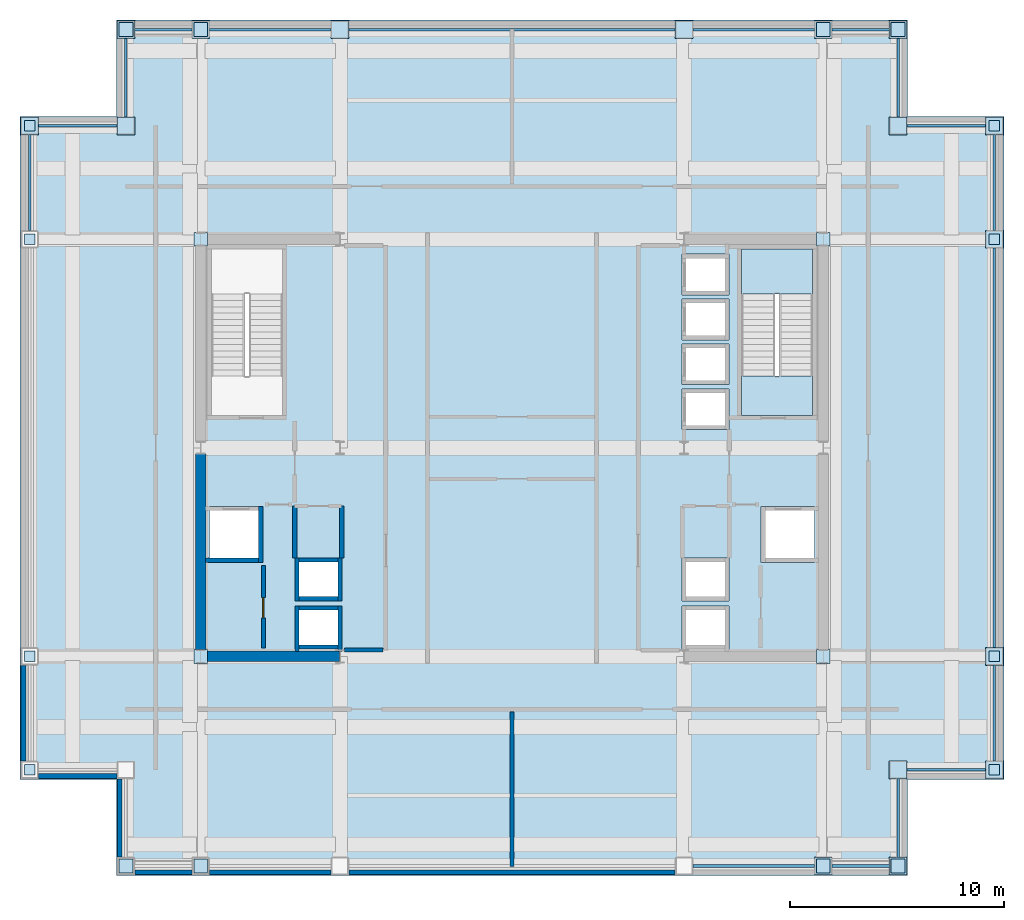
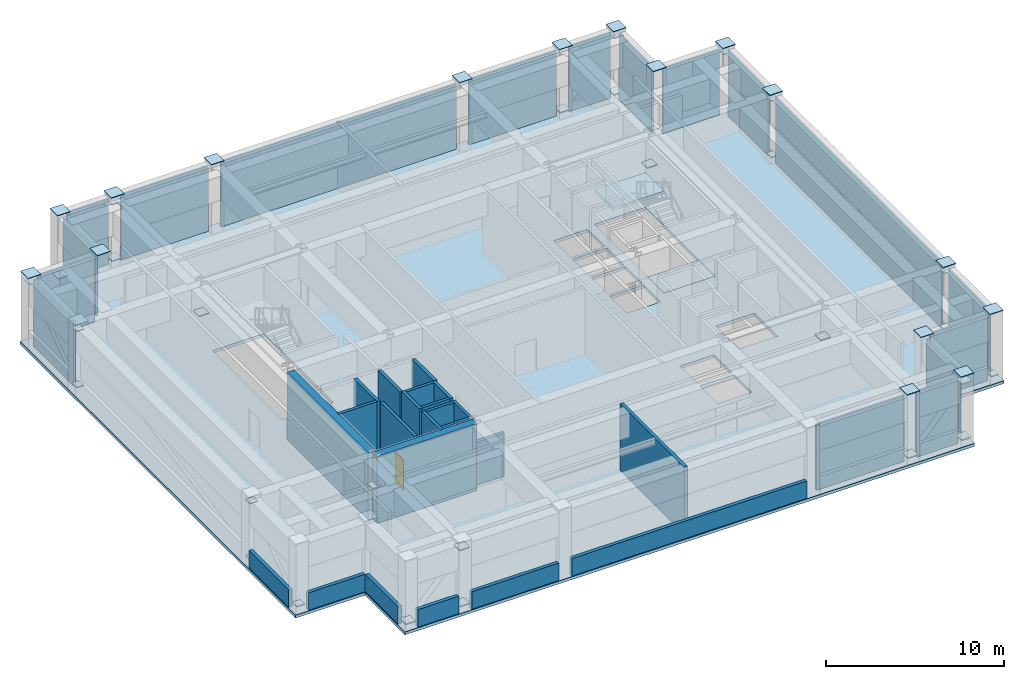
# One storey, part 3 of 9: 61 plates, 23 walls, 3 slabs, 1 door, 1 opening, 1 element without a shape of its own.
"""IFC4 building model written with IfcOpenShell, lengths in metres."""

from ifc_helpers import new_model, si_unit, direction, frame, frame_2d, origin, origin_2d, place, context, subcontext, project, spatial, polyline, rectangle, outline, extrude, material, layer, layer_set, type_object, element, fill, aggregate, save


model = new_model("IFC4")

# Units and contexts
model_context = context("Model", 3, precision=1e-05, world=origin(), true_north=direction((0.0, 1.0)))
body_context = subcontext(model_context, "Body", "Model", "MODEL_VIEW")
ifc_project = project(units=[si_unit("LENGTHUNIT", "METRE"), si_unit("AREAUNIT", "SQUARE_METRE"), si_unit("VOLUMEUNIT", "CUBIC_METRE"), si_unit("PLANEANGLEUNIT", "RADIAN"), si_unit("MASSUNIT", "GRAM", prefix="KILO")], contexts=[model_context])

# Site, building, storey
site_placement = place(None, origin())
site = spatial("IfcSite", under=ifc_project, at=site_placement, CompositionType="ELEMENT")
building_placement = place(site_placement, origin())
building = spatial("IfcBuilding", under=site, at=building_placement, Name="Brelmoor Portico Tower", CompositionType="ELEMENT")
storey_placement = place(building_placement, frame((0.0, 0.0, 145.800048828125)))
storey = spatial("IfcBuildingStorey", under=building, at=storey_placement, Name="L38", CompositionType="ELEMENT", Elevation=145.800048828125)

# Plates
ifc_material_1 = material(Name="Steel Q355B", Category="steel")
ifc_layer_1 = layer(ifc_material_1, 0.035888671875)
ifc_layer_set_1 = layer_set([ifc_layer_1], Name="Steel Q355B")
plate_type_1 = type_object("IfcPlateType", Name="PT-CAP-500", PredefinedType="SHEET", material=ifc_layer_set_1)
for number, where, z_axis, x_axis, name in (
    (1, (-22.550048828125, -15.050048828125, 0.3818359375), (0.0, 0.0, 1.0), (1.0, 0.0, 0.0), "L38 Belt Truss Diagonal BT-05B Joint Cap Plate 1"),
    (2, (-22.550048828125, -9.75, 4.23193359375), (0.0, 0.0, 1.0), (1.0, 0.0, 0.0), "L38 Belt Truss Diagonal BT-05B Joint Cap Plate 2"),
    (3, (-22.550048828125, -9.75, 0.3818359375), (0.0, 0.0, 1.0), (1.0, 0.0, 0.0), "L38 Belt Truss Diagonal BT-06B Joint Cap Plate 1"),
    (4, (-22.550048828125, 9.75, 4.23193359375), (0.0, 0.0, 1.0), (1.0, 0.0, 0.0), "L38 Belt Truss Diagonal BT-06B Joint Cap Plate 2"),
    (5, (-22.550048828125, 9.75, 0.3818359375), (0.0, 0.0, 1.0), (1.0, 0.0, 0.0), "L38 Belt Truss Diagonal BT-07B Joint Cap Plate 1"),
    (6, (-22.550048828125, 15.050048828125, 4.23193359375), (0.0, 0.0, 1.0), (1.0, 0.0, 0.0), "L38 Belt Truss Diagonal BT-07B Joint Cap Plate 2"),
    (7, (22.550048828125, -15.050048828125, 0.3818359375), (0.0, 0.0, 1.0), (1.0, 0.0, 0.0), "L38 Belt Truss Diagonal BT-08B Joint Cap Plate 1"),
    (8, (22.550048828125, -9.75, 4.23193359375), (0.0, 0.0, 1.0), (1.0, 0.0, 0.0), "L38 Belt Truss Diagonal BT-08B Joint Cap Plate 2"),
    (9, (22.550048828125, -9.75, 0.3818359375), (0.0, 0.0, 1.0), (1.0, 0.0, 0.0), "L38 Belt Truss Diagonal BT-09B Joint Cap Plate 1"),
    (10, (22.550048828125, 9.75, 4.23193359375), (0.0, 0.0, 1.0), (1.0, 0.0, 0.0), "L38 Belt Truss Diagonal BT-09B Joint Cap Plate 2"),
    (11, (22.550048828125, 9.75, 0.3818359375), (0.0, 0.0, 1.0), (1.0, 0.0, 0.0), "L38 Belt Truss Diagonal BT-10B Joint Cap Plate 1"),
    (12, (22.550048828125, 15.050048828125, 4.23193359375), (0.0, 0.0, 1.0), (1.0, 0.0, 0.0), "L38 Belt Truss Diagonal BT-10B Joint Cap Plate 2"),
):
    element("IfcPlate", number, at=place(storey_placement, frame(where, z_axis=z_axis, x_axis=x_axis)), inside=storey, type_object=plate_type_1, Name=name, PredefinedType="SHEET", context=body_context, shape_type="SweptSolid", body=[
        extrude(rectangle(XDim=0.5, YDim=0.5, at=origin_2d()), origin(), (0.0, 0.0, 1.0), 0.035888671875),
    ])
ifc_layer_2 = layer(ifc_material_1, 0.044921875)
ifc_layer_set_2 = layer_set([ifc_layer_2], Name="Steel Q355B")
plate_type_2 = type_object("IfcPlateType", Name="PT-CAP-650", PredefinedType="SHEET", material=ifc_layer_set_2)
for number, where, z_axis, x_axis, name in (
    (13, (14.550048828125, -19.550048828125, 4.800048828125), (0.0, 0.0, 1.0), (1.0, 0.0, 0.0), "L38 Perimeter Mega-Column PS05 Welded Head Cap Plate"),
    (14, (18.050048828125, -19.550048828125, 4.800048828125), (0.0, 0.0, 1.0), (1.0, 0.0, 0.0), "L38 Perimeter Mega-Column PS06 Welded Head Cap Plate"),
    (15, (-18.050048828125, 19.550048828125, 4.800048828125), (0.0, 0.0, 1.0), (1.0, 0.0, 0.0), "L38 Perimeter Mega-Column PN01 Welded Head Cap Plate"),
    (16, (-14.550048828125, 19.550048828125, 4.800048828125), (0.0, 0.0, 1.0), (1.0, 0.0, 0.0), "L38 Perimeter Mega-Column PN02 Welded Head Cap Plate"),
    (17, (-8.050048828125, 19.550048828125, 4.800048828125), (0.0, 0.0, 1.0), (1.0, 0.0, 0.0), "L38 Perimeter Mega-Column PN03 Welded Head Cap Plate"),
    (18, (8.050048828125, 19.550048828125, 4.800048828125), (0.0, 0.0, 1.0), (1.0, 0.0, 0.0), "L38 Perimeter Mega-Column PN04 Welded Head Cap Plate"),
    (19, (14.550048828125, 19.550048828125, 4.800048828125), (0.0, 0.0, 1.0), (1.0, 0.0, 0.0), "L38 Perimeter Mega-Column PN05 Welded Head Cap Plate"),
    (20, (18.050048828125, 19.550048828125, 4.800048828125), (0.0, 0.0, 1.0), (1.0, 0.0, 0.0), "L38 Perimeter Mega-Column PN06 Welded Head Cap Plate"),
    (21, (-22.550048828125, 15.050048828125, 4.800048828125), (0.0, 0.0, 1.0), (0.0, 1.0, 0.0), "L38 Perimeter Mega-Column PW04 Welded Head Cap Plate"),
    (22, (22.550048828125, -15.050048828125, 4.800048828125), (0.0, 0.0, 1.0), (0.0, 1.0, 0.0), "L38 Perimeter Mega-Column PE01 Welded Head Cap Plate"),
    (23, (22.550048828125, -9.75, 4.800048828125), (0.0, 0.0, 1.0), (0.0, 1.0, 0.0), "L38 Perimeter Mega-Column PE02 Welded Head Cap Plate"),
    (24, (22.550048828125, 9.75, 4.800048828125), (0.0, 0.0, 1.0), (0.0, 1.0, 0.0), "L38 Perimeter Mega-Column PE03 Welded Head Cap Plate"),
    (25, (22.550048828125, 15.050048828125, 4.800048828125), (0.0, 0.0, 1.0), (0.0, 1.0, 0.0), "L38 Perimeter Mega-Column PE04 Welded Head Cap Plate"),
    (26, (-18.050048828125, 15.050048828125, 4.800048828125), (0.0, 0.0, 1.0), (1.0, 0.0, 0.0), "L38 Perimeter Mega-Column PC-NW Welded Head Cap Plate"),
    (27, (18.050048828125, 15.050048828125, 4.800048828125), (0.0, 0.0, 1.0), (1.0, 0.0, 0.0), "L38 Perimeter Mega-Column PC-NE Welded Head Cap Plate"),
    (28, (18.050048828125, -15.050048828125, 4.800048828125), (0.0, 0.0, 1.0), (1.0, 0.0, 0.0), "L38 Perimeter Mega-Column PC-SE Welded Head Cap Plate"),
):
    element("IfcPlate", number, at=place(storey_placement, frame(where, z_axis=z_axis, x_axis=x_axis)), inside=storey, type_object=plate_type_2, Name=name, PredefinedType="SHEET", context=body_context, shape_type="SweptSolid", body=[
        extrude(rectangle(XDim=0.840087890625, YDim=0.840087890625, at=origin_2d()), origin(), (0.0, 0.0, 1.0), 0.0400390625),
    ])
for number, where, z_axis, x_axis, name in (
    (29, (-18.050048828125, -19.550048828125, 0.37744140625), (0.0, 0.0, 1.0), (1.0, 0.0, 0.0), "L38 Belt Truss Diagonal BT-01A Joint Cap Plate 1"),
    (30, (-14.550048828125, -19.550048828125, 4.2275390625), (0.0, 0.0, 1.0), (1.0, 0.0, 0.0), "L38 Belt Truss Diagonal BT-01A Joint Cap Plate 2"),
    (31, (-14.550048828125, -19.550048828125, 0.37744140625), (0.0, 0.0, 1.0), (1.0, 0.0, 0.0), "L38 Belt Truss Bottom Chord BC-01 Joint Cap Plate 2"),
    (32, (14.550048828125, -19.550048828125, 0.37744140625), (0.0, 0.0, 1.0), (1.0, 0.0, 0.0), "L38 Belt Truss Diagonal BT-02A Joint Cap Plate 1"),
    (33, (18.050048828125, -19.550048828125, 4.2275390625), (0.0, 0.0, 1.0), (1.0, 0.0, 0.0), "L38 Belt Truss Diagonal BT-02A Joint Cap Plate 2"),
    (34, (18.050048828125, -19.550048828125, 0.37744140625), (0.0, 0.0, 1.0), (1.0, 0.0, 0.0), "L38 Belt Truss Bottom Chord BC-02 Joint Cap Plate 2"),
    (35, (-18.050048828125, 19.550048828125, 0.37744140625), (0.0, 0.0, 1.0), (1.0, 0.0, 0.0), "L38 Belt Truss Diagonal BT-03A Joint Cap Plate 1"),
    (36, (-14.550048828125, 19.550048828125, 4.2275390625), (0.0, 0.0, 1.0), (1.0, 0.0, 0.0), "L38 Belt Truss Diagonal BT-03A Joint Cap Plate 2"),
    (37, (-14.550048828125, 19.550048828125, 0.37744140625), (0.0, 0.0, 1.0), (1.0, 0.0, 0.0), "L38 Belt Truss Bottom Chord BC-03 Joint Cap Plate 2"),
    (38, (14.550048828125, 19.550048828125, 0.37744140625), (0.0, 0.0, 1.0), (1.0, 0.0, 0.0), "L38 Belt Truss Diagonal BT-04A Joint Cap Plate 1"),
    (39, (18.050048828125, 19.550048828125, 4.2275390625), (0.0, 0.0, 1.0), (1.0, 0.0, 0.0), "L38 Belt Truss Diagonal BT-04A Joint Cap Plate 2"),
    (40, (18.050048828125, 19.550048828125, 0.37744140625), (0.0, 0.0, 1.0), (1.0, 0.0, 0.0), "L38 Belt Truss Bottom Chord BC-04 Joint Cap Plate 2"),
    (41, (-14.550048828125, -9.75, 2.527587890625), (0.0, 0.0, 1.0), (1.0, 0.0, 0.0), "L38 Outrigger Truss Diagonal OT-01 Joint Cap Plate 1"),
    (42, (14.550048828125, -9.75, 2.527587890625), (0.0, 0.0, 1.0), (1.0, 0.0, 0.0), "L38 Outrigger Truss Diagonal OT-02 Joint Cap Plate 1"),
    (43, (-14.550048828125, 9.75, 2.527587890625), (0.0, 0.0, 1.0), (1.0, 0.0, 0.0), "L38 Outrigger Truss Diagonal OT-03 Joint Cap Plate 1"),
    (44, (14.550048828125, 9.75, 2.527587890625), (0.0, 0.0, 1.0), (1.0, 0.0, 0.0), "L38 Outrigger Truss Diagonal OT-04 Joint Cap Plate 1"),
):
    element("IfcPlate", number, at=place(storey_placement, frame(where, z_axis=z_axis, x_axis=x_axis)), inside=storey, type_object=plate_type_2, Name=name, PredefinedType="SHEET", context=body_context, shape_type="SweptSolid", body=[
        extrude(rectangle(XDim=0.64990234375, YDim=0.64990234375, at=origin_2d()), origin(), (0.0, 0.0, 1.0), 0.044921875),
    ])
ifc_material_2 = material(Name="Pale Champagne Anodised Aluminium Crown Screen", Category="aluminium")
ifc_layer_3 = layer(ifc_material_2, 0.06494140625)
ifc_layer_set_3 = layer_set([ifc_layer_3], Name="Pale Champagne Anodised Aluminium Crown Screen")
plate_type_3 = type_object("IfcPlateType", Name="PT-CROWN-LOUVRE", PredefinedType="SHEET", material=ifc_layer_set_3)
plate_1_placement = place(storey_placement, frame((11.300048828125, -19.550048828125, 0.06005859375), z_axis=(0.0, 0.0, 1.0), x_axis=(1.0, 0.0, 0.0)))
element("IfcPlate", 45, at=plate_1_placement, inside=storey, type_object=plate_type_3, Name="L38 Plant Acoustic Screen Panel S-4", PredefinedType="SHEET", context=body_context, shape_type="SweptSolid", body=[
    extrude(rectangle(XDim=5.679931640625, YDim=0.1201171875, at=origin_2d()), origin(), (0.0, 0.0, 1.0), 4.47998046875),
])
for number, where, z_axis, x_axis, name in (
    (46, (16.300048828125, -19.550048828125, 0.06005859375), (0.0, 0.0, 1.0), (1.0, 0.0, 0.0), "L38 Plant Acoustic Screen Panel S-5"),
    (47, (-16.300048828125, 19.550048828125, 0.06005859375), (0.0, 0.0, 1.0), (1.0, 0.0, 0.0), "L38 Plant Acoustic Screen Panel N-1"),
):
    element("IfcPlate", number, at=place(storey_placement, frame(where, z_axis=z_axis, x_axis=x_axis)), inside=storey, type_object=plate_type_3, Name=name, PredefinedType="SHEET", context=body_context, shape_type="SweptSolid", body=[
        extrude(rectangle(XDim=2.679931640625, YDim=0.1201171875, at=origin_2d()), origin(), (0.0, 0.0, 1.0), 4.47998046875),
    ])
plate_2_placement = place(storey_placement, frame((-11.300048828125, 19.550048828125, 0.06005859375), z_axis=(0.0, 0.0, 1.0), x_axis=(1.0, 0.0, 0.0)))
element("IfcPlate", 48, at=plate_2_placement, inside=storey, type_object=plate_type_3, Name="L38 Plant Acoustic Screen Panel N-2", PredefinedType="SHEET", context=body_context, shape_type="SweptSolid", body=[
    extrude(rectangle(XDim=5.679931640625, YDim=0.1201171875, at=origin_2d()), origin(), (0.0, 0.0, 1.0), 4.47998046875),
])
plate_3_placement = place(storey_placement, frame((0.0, 19.550048828125, 0.06005859375), z_axis=(0.0, 0.0, 1.0), x_axis=(1.0, 0.0, 0.0)))
element("IfcPlate", 49, at=plate_3_placement, inside=storey, type_object=plate_type_3, Name="L38 Plant Acoustic Screen Panel N-3", PredefinedType="SHEET", context=body_context, shape_type="SweptSolid", body=[
    extrude(rectangle(XDim=15.280029296875, YDim=0.1201171875, at=origin_2d()), origin(), (0.0, 0.0, 1.0), 4.47998046875),
])
plate_4_placement = place(storey_placement, frame((11.300048828125, 19.550048828125, 0.06005859375), z_axis=(0.0, 0.0, 1.0), x_axis=(1.0, 0.0, 0.0)))
element("IfcPlate", 50, at=plate_4_placement, inside=storey, type_object=plate_type_3, Name="L38 Plant Acoustic Screen Panel N-4", PredefinedType="SHEET", context=body_context, shape_type="SweptSolid", body=[
    extrude(rectangle(XDim=5.679931640625, YDim=0.1201171875, at=origin_2d()), origin(), (0.0, 0.0, 1.0), 4.47998046875),
])
plate_5_placement = place(storey_placement, frame((16.300048828125, 19.550048828125, 0.06005859375), z_axis=(0.0, 0.0, 1.0), x_axis=(1.0, 0.0, 0.0)))
element("IfcPlate", 51, at=plate_5_placement, inside=storey, type_object=plate_type_3, Name="L38 Plant Acoustic Screen Panel N-5", PredefinedType="SHEET", context=body_context, shape_type="SweptSolid", body=[
    extrude(rectangle(XDim=2.679931640625, YDim=0.1201171875, at=origin_2d()), origin(), (0.0, 0.0, 1.0), 4.47998046875),
])
for number, where, z_axis, x_axis, name in (
    (52, (-22.550048828125, 12.39990234375, 0.06005859375), (0.0, 0.0, 1.0), (0.0, 1.0, 0.0), "L38 Plant Acoustic Screen Panel W-3"),
    (53, (22.550048828125, -12.39990234375, 0.06005859375), (0.0, 0.0, 1.0), (0.0, 1.0, 0.0), "L38 Plant Acoustic Screen Panel E-1"),
):
    element("IfcPlate", number, at=place(storey_placement, frame(where, z_axis=z_axis, x_axis=x_axis)), inside=storey, type_object=plate_type_3, Name=name, PredefinedType="SHEET", context=body_context, shape_type="SweptSolid", body=[
        extrude(rectangle(XDim=4.47998046875, YDim=0.1201171875, at=origin_2d()), origin(), (0.0, 0.0, 1.0), 4.47998046875),
    ])
plate_6_placement = place(storey_placement, frame((22.550048828125, 0.0, 0.06005859375), z_axis=(0.0, 0.0, 1.0), x_axis=(0.0, 1.0, 0.0)))
element("IfcPlate", 54, at=plate_6_placement, inside=storey, type_object=plate_type_3, Name="L38 Plant Acoustic Screen Panel E-2", PredefinedType="SHEET", context=body_context, shape_type="SweptSolid", body=[
    extrude(rectangle(XDim=18.679931640625, YDim=0.1201171875, at=origin_2d()), origin(), (0.0, 0.0, 1.0), 4.47998046875),
])
plate_7_placement = place(storey_placement, frame((22.550048828125, 12.39990234375, 0.06005859375), z_axis=(0.0, 0.0, 1.0), x_axis=(0.0, 1.0, 0.0)))
element("IfcPlate", 55, at=plate_7_placement, inside=storey, type_object=plate_type_3, Name="L38 Plant Acoustic Screen Panel E-3", PredefinedType="SHEET", context=body_context, shape_type="SweptSolid", body=[
    extrude(rectangle(XDim=4.47998046875, YDim=0.1201171875, at=origin_2d()), origin(), (0.0, 0.0, 1.0), 4.47998046875),
])
for number, where, z_axis, x_axis, name in (
    (56, (18.050048828125, -17.300048828125, 0.06005859375), (0.0, 0.0, 1.0), (0.0, 1.0, 0.0), "L38 Plant Acoustic Screen Panel SE1-1"),
    (57, (20.300048828125, -15.050048828125, 0.06005859375), (0.0, 0.0, 1.0), (1.0, 0.0, 0.0), "L38 Plant Acoustic Screen Panel SE2-1"),
    (58, (-18.050048828125, 17.300048828125, 0.06005859375), (0.0, 0.0, 1.0), (0.0, 1.0, 0.0), "L38 Plant Acoustic Screen Panel NW1-1"),
    (59, (-20.300048828125, 15.050048828125, 0.06005859375), (0.0, 0.0, 1.0), (1.0, 0.0, 0.0), "L38 Plant Acoustic Screen Panel NW2-1"),
    (60, (18.050048828125, 17.300048828125, 0.06005859375), (0.0, 0.0, 1.0), (0.0, 1.0, 0.0), "L38 Plant Acoustic Screen Panel NE1-1"),
    (61, (20.300048828125, 15.050048828125, 0.06005859375), (0.0, 0.0, 1.0), (1.0, 0.0, 0.0), "L38 Plant Acoustic Screen Panel NE2-1"),
):
    element("IfcPlate", number, at=place(storey_placement, frame(where, z_axis=z_axis, x_axis=x_axis)), inside=storey, type_object=plate_type_3, Name=name, PredefinedType="SHEET", context=body_context, shape_type="SweptSolid", body=[
        extrude(rectangle(XDim=3.679931640625, YDim=0.1201171875, at=origin_2d()), origin(), (0.0, 0.0, 1.0), 4.47998046875),
    ])

# Slab
ifc_material_3 = material(Name="Concrete C40", Category="concrete")
ifc_layer_4 = layer(ifc_material_3, 0.199951171875)
ifc_layer_set_4 = layer_set([ifc_layer_4], Name="Concrete C40")
slab_type_1 = type_object("IfcSlabType", Name="SL-FLOOR-200", PredefinedType="FLOOR", material=ifc_layer_set_4)
slab_1_placement = place(storey_placement, frame((0.0, 0.0, -0.199951171875)))
element("IfcSlab", 62, at=slab_1_placement, inside=storey, type_object=slab_type_1, Name="L38 Main Structural Floor Slab", PredefinedType="FLOOR", context=body_context, shape_type="SweptSolid", body=[
    extrude(outline(polyline([(-18.5, -20.0), (18.5, -20.0), (18.5, -15.5), (23.0, -15.5), (23.0, 15.5), (18.5, 15.5), (18.5, 20.0), (-18.5, 20.0), (-18.5, 15.5), (-23.0, 15.5), (-23.0, -15.5), (-18.5, -15.5), (-18.5, -20.0)]), holes=[polyline([(-10.72998046875, 1.5), (-10.72998046875, 9.300048828125), (-14.050048828125, 9.300048828125), (-14.050048828125, 1.5), (-10.72998046875, 1.5)]), polyline([(14.050048828125, 1.5), (14.050048828125, 9.300048828125), (10.72998046875, 9.300048828125), (10.72998046875, 1.5), (14.050048828125, 1.5)]), polyline([(7.949951171875, 0.85009765625), (10.14990234375, 0.85009765625), (10.14990234375, 2.75), (7.949951171875, 2.75), (7.949951171875, 0.85009765625)]), polyline([(7.949951171875, 2.949951171875), (10.14990234375, 2.949951171875), (10.14990234375, 4.85009765625), (7.949951171875, 4.85009765625), (7.949951171875, 2.949951171875)]), polyline([(7.949951171875, 5.050048828125), (10.14990234375, 5.050048828125), (10.14990234375, 6.949951171875), (7.949951171875, 6.949951171875), (7.949951171875, 5.050048828125)]), polyline([(7.949951171875, 7.14990234375), (10.14990234375, 7.14990234375), (10.14990234375, 9.050048828125), (7.949951171875, 9.050048828125), (7.949951171875, 7.14990234375)]), polyline([(-10.14990234375, -9.39990234375), (-7.949951171875, -9.39990234375), (-7.949951171875, -7.39990234375), (-10.14990234375, -7.39990234375), (-10.14990234375, -9.39990234375)]), polyline([(-10.14990234375, -7.14990234375), (-7.949951171875, -7.14990234375), (-7.949951171875, -5.14990234375), (-10.14990234375, -5.14990234375), (-10.14990234375, -7.14990234375)]), polyline([(7.949951171875, -9.39990234375), (10.14990234375, -9.39990234375), (10.14990234375, -7.39990234375), (7.949951171875, -7.39990234375), (7.949951171875, -9.39990234375)]), polyline([(7.949951171875, -7.14990234375), (10.14990234375, -7.14990234375), (10.14990234375, -5.14990234375), (7.949951171875, -5.14990234375), (7.949951171875, -7.14990234375)]), polyline([(-14.14990234375, -5.35009765625), (-11.64990234375, -5.35009765625), (-11.64990234375, -2.75), (-14.14990234375, -2.75), (-14.14990234375, -5.35009765625)]), polyline([(11.64990234375, -5.35009765625), (14.14990234375, -5.35009765625), (14.14990234375, -2.75), (11.64990234375, -2.75), (11.64990234375, -5.35009765625)])]), origin(), (0.0, 0.0, 1.0), 0.199951171875),
])

# Stair, slab
stair_type = type_object("IfcStairType", Name="ST-CORE-E", PredefinedType="HALF_TURN_STAIR", material=ifc_material_3)
stair_placement = place(storey_placement, origin())
stair = element("IfcStair", 63, at=stair_placement, inside=storey, type_object=stair_type, Name="L38 Protected Core Exit Stair ST-E", PredefinedType="HALF_TURN_STAIR")
ifc_layer_5 = layer(ifc_material_3, 0.179931640625)
ifc_layer_set_5 = layer_set([ifc_layer_5], Name="Concrete C40")
slab_type_2 = type_object("IfcSlabType", Name="SL-LANDING-180", PredefinedType="LANDING", material=ifc_layer_set_5)
slab_2_placement = place(storey_placement, frame((0.0, 0.0, 2.199951171875)))
slab_2 = element("IfcSlab", 64, at=slab_2_placement, type_object=slab_type_2, Name="ST-E landing 1", PredefinedType="LANDING", context=body_context, shape_type="SweptSolid", body=[
    extrude(outline(polyline([(14.050048828125, 7.18505859375), (14.050048828125, 9.300048828125), (10.72998046875, 9.300048828125), (10.72998046875, 7.18505859375), (14.050048828125, 7.18505859375)])), origin(), (0.0, 0.0, 1.0), 0.199951171875),
])
aggregate(stair, [slab_2])

# Slab
ifc_layer_6 = layer(ifc_material_3, 0.199951171875)
ifc_layer_set_6 = layer_set([ifc_layer_6], Name="Concrete C40")
slab_type_3 = type_object("IfcSlabType", Name="SL-STAIR-FL200", PredefinedType="LANDING", material=ifc_layer_set_6)
slab_3_placement = place(storey_placement, frame((0.0, 0.0, -0.199951171875)))
element("IfcSlab", 65, at=slab_3_placement, inside=storey, type_object=slab_type_3, Name="L38 ST-E Structural Floor Landing Slab", PredefinedType="LANDING", context=body_context, shape_type="SweptSolid", body=[
    extrude(outline(polyline([(14.050048828125, 1.5), (14.050048828125, 3.35009765625), (10.72998046875, 3.35009765625), (10.72998046875, 1.5), (14.050048828125, 1.5)])), origin(), (0.0, 0.0, 1.0), 0.199951171875),
])

# Walls
ifc_material_4 = material(Name="Concrete C60", Category="concrete")
ifc_layer_7 = layer(ifc_material_4, 0.5)
ifc_layer_set_7 = layer_set([ifc_layer_7], Name="Concrete C60")
wall_type_1 = type_object("IfcWallType", Name="WL-CORE-500", PredefinedType="SHEAR", material=ifc_layer_set_7)
wall_1_placement = place(storey_placement, frame((-14.530029296875, -9.75, -0.199951171875), z_axis=(0.0, 0.0, 1.0), x_axis=(1.0, 0.0, 0.0)))
element("IfcWall", 66, at=wall_1_placement, inside=storey, type_object=wall_type_1, Name="L38 WC South Shear Wall", PredefinedType="SHEAR", context=body_context, shape_type="SweptSolid", body=[
    extrude(rectangle(XDim=6.4599609375, YDim=0.5, at=frame_2d((3.22998046875, 0.0))), origin(), (0.0, 0.0, 1.0), 4.7998046875),
])
wall_2_placement = place(storey_placement, frame((-14.550048828125, -9.449951171875, -0.199951171875), z_axis=(0.0, 0.0, 1.0), x_axis=(0.0, 1.0, 0.0)))
element("IfcWall", 67, at=wall_2_placement, inside=storey, type_object=wall_type_1, Name="L38 WC Outer South Shear Wall", PredefinedType="SHEAR", context=body_context, shape_type="SweptSolid", body=[
    extrude(rectangle(XDim=9.14990234375, YDim=0.5, at=frame_2d((4.574951171875, 0.0))), origin(), (0.0, 0.0, 1.0), 4.7998046875),
])
ifc_material_5 = material(Name="Concrete C40 Parapet Upstand", Category="concrete")
ifc_layer_8 = layer(ifc_material_5, 0.219970703125)
ifc_layer_set_8 = layer_set([ifc_layer_8], Name="Concrete C40 Parapet Upstand")
wall_type_2 = type_object("IfcWallType", Name="WL-PARAPET-220", PredefinedType="PARAPET", material=ifc_layer_set_8)
wall_3_placement = place(storey_placement, frame((-17.6298828125, -19.840087890625, 0.0), z_axis=(0.0, 0.0, 1.0), x_axis=(1.0, 0.0, 0.0)))
element("IfcWall", 68, at=wall_3_placement, inside=storey, type_object=wall_type_2, Name="L38 Plant Louvre Perimeter Upstand 01", PredefinedType="PARAPET", context=body_context, shape_type="SweptSolid", body=[
    extrude(rectangle(XDim=2.659912109375, YDim=0.219970703125, at=frame_2d((1.330078125, 0.0))), origin(), (0.0, 0.0, 1.0), 1.199951171875),
])
wall_4_placement = place(storey_placement, frame((-14.1298828125, -19.840087890625, 0.0), z_axis=(0.0, 0.0, 1.0), x_axis=(1.0, 0.0, 0.0)))
element("IfcWall", 69, at=wall_4_placement, inside=storey, type_object=wall_type_2, Name="L38 Plant Louvre Perimeter Upstand 02", PredefinedType="PARAPET", context=body_context, shape_type="SweptSolid", body=[
    extrude(rectangle(XDim=5.659912109375, YDim=0.219970703125, at=frame_2d((2.830078125, 0.0))), origin(), (0.0, 0.0, 1.0), 1.199951171875),
])
wall_5_placement = place(storey_placement, frame((-7.6298828125, -19.840087890625, 0.0), z_axis=(0.0, 0.0, 1.0), x_axis=(1.0, 0.0, 0.0)))
element("IfcWall", 70, at=wall_5_placement, inside=storey, type_object=wall_type_2, Name="L38 Plant Louvre Perimeter Upstand 03", PredefinedType="PARAPET", context=body_context, shape_type="SweptSolid", body=[
    extrude(rectangle(XDim=15.259765625, YDim=0.219970703125, at=frame_2d((7.6298828125, 0.0))), origin(), (0.0, 0.0, 1.0), 1.199951171875),
])
wall_6_placement = place(storey_placement, frame((-22.840087890625, -10.169921875, 0.0), z_axis=(0.0, 0.0, 1.0), x_axis=(0.0, -1.0, 0.0)))
element("IfcWall", 71, at=wall_6_placement, inside=storey, type_object=wall_type_2, Name="L38 Plant Louvre Perimeter Upstand 22", PredefinedType="PARAPET", context=body_context, shape_type="SweptSolid", body=[
    extrude(rectangle(XDim=4.4599609375, YDim=0.219970703125, at=frame_2d((2.22998046875, 0.0))), origin(), (0.0, 0.0, 1.0), 1.199951171875),
])
wall_7_placement = place(storey_placement, frame((-22.1298828125, -15.340087890625, 0.0), z_axis=(0.0, 0.0, 1.0), x_axis=(1.0, 0.0, 0.0)))
element("IfcWall", 72, at=wall_7_placement, inside=storey, type_object=wall_type_2, Name="L38 Plant Louvre Perimeter Upstand 23", PredefinedType="PARAPET", context=body_context, shape_type="SweptSolid", body=[
    extrude(rectangle(XDim=3.669921875, YDim=0.219970703125, at=frame_2d((1.8349609375, 0.0))), origin(), (0.0, 0.0, 1.0), 1.199951171875),
])
wall_8_placement = place(storey_placement, frame((-18.340087890625, -15.469970703125, 0.0), z_axis=(0.0, 0.0, 1.0), x_axis=(0.0, -1.0, 0.0)))
element("IfcWall", 73, at=wall_8_placement, inside=storey, type_object=wall_type_2, Name="L38 Plant Louvre Perimeter Upstand 24", PredefinedType="PARAPET", context=body_context, shape_type="SweptSolid", body=[
    extrude(rectangle(XDim=3.659912109375, YDim=0.219970703125, at=frame_2d((1.830078125, 0.0))), origin(), (0.0, 0.0, 1.0), 1.199951171875),
])
ifc_material_6 = material(Name="Double-Stud Gypsum Fire Partition", Category="gypsum")
ifc_layer_9 = layer(ifc_material_6, 0.199951171875)
ifc_layer_set_9 = layer_set([ifc_layer_9], Name="Double-Stud Gypsum Fire Partition")
wall_type_3 = type_object("IfcWallType", Name="WL-PART-200", PredefinedType="PARTITIONING", material=ifc_layer_set_9)
wall_9_placement = place(storey_placement, frame((-6.02001953125, -9.449951171875, 0.0), z_axis=(0.0, 0.0, 1.0), x_axis=(-1.0, 0.0, 0.0)))
element("IfcWall", 74, at=wall_9_placement, inside=storey, type_object=wall_type_3, Name="L38 W Lift Lobby South End Wall", PredefinedType="PARTITIONING", context=body_context, shape_type="SweptSolid", body=[
    extrude(rectangle(XDim=1.800048828125, YDim=0.199951171875, at=frame_2d((0.89990234375, 0.0))), origin(), (0.0, 0.0, 1.0), 2.949951171875),
])
for number, where, z_axis, x_axis, name in (
    (75, (-7.9599609375, -5.159912109375, 0.0), (0.0, 0.0, 1.0), (0.0, 1.0, 0.0), "L38 W Electrical Switchgear Closet Inner Wall"),
    (76, (-10.159912109375, -5.159912109375, 0.0), (0.0, 0.0, 1.0), (0.0, 1.0, 0.0), "L38 W Electrical Switchgear Closet Outer Wall"),
):
    element("IfcWall", number, at=place(storey_placement, frame(where, z_axis=z_axis, x_axis=x_axis)), inside=storey, type_object=wall_type_3, Name=name, PredefinedType="PARTITIONING", context=body_context, shape_type="SweptSolid", body=[
        extrude(rectangle(XDim=2.43994140625, YDim=0.199951171875, at=frame_2d((1.219970703125, 0.0))), origin(), (0.0, 0.0, 1.0), 4.599853515625),
    ])

# Wall, opening, door
wall_10_placement = place(storey_placement, frame((-11.6201171875, -9.35009765625, 0.0), z_axis=(0.0, 0.0, 1.0), x_axis=(0.0, 1.0, 0.0)))
wall_10 = element("IfcWall", 77, at=wall_10_placement, inside=storey, type_object=wall_type_3, Name="L38 W Mechanical Equipment Closet Wall", PredefinedType="PARTITIONING", context=body_context, shape_type="SweptSolid", body=[
    extrude(rectangle(XDim=3.85009765625, YDim=0.199951171875, at=frame_2d((1.925048828125, 0.0))), origin(), (0.0, 0.0, 1.0), 4.599853515625),
])
opening_placement = place(wall_10_placement, frame((1.39990234375, 0.0, 0.0)))
opening = element("IfcOpeningElement", 78, at=opening_placement, cuts=wall_10, Name="Opening D-FR4", PredefinedType="OPENING", context=body_context, shape_type="SweptSolid", body=[
    extrude(rectangle(XDim=0.949951171875, YDim=2.10009765625, at=frame_2d((0.47509765625, 1.050048828125))), frame((0.0, 0.10986328125, 0.0), z_axis=(0.0, -1.0, 0.0), x_axis=(1.0, 0.0, 0.0)), (0.0, 0.0, 1.0), 0.219970703125),
])
ifc_material_7 = material(Name="Painted Galvanised Steel Riser Door", Category="steel")
door_type = type_object("IfcDoorType", Name="DR-FIRE-950", OperationType="NOTDEFINED", PredefinedType="DOOR", material=ifc_material_7)
door_placement = place(opening_placement, origin())
door = element("IfcDoor", 79, at=door_placement, inside=storey, type_object=door_type, Name="D-1644 L38 W Mechanical Equipment Closet Door", OperationType="SINGLE_SWING_LEFT", OverallHeight=2.10009765625, OverallWidth=0.949951171875, PredefinedType="DOOR", context=body_context, shape_type="SweptSolid", body=[
    extrude(rectangle(XDim=0.949951171875, YDim=2.10009765625, at=frame_2d((0.47509765625, 1.050048828125))), frame((0.0, 0.02490234375, 0.0), z_axis=(0.0, -1.0, 0.0), x_axis=(1.0, 0.0, 0.0)), (0.0, 0.0, 1.0), 0.050048828125),
])
fill(opening, door)

# Walls
wall_11_placement = place(storey_placement, frame((0.0, -19.570068359375, 0.0), z_axis=(0.0, 0.0, 1.0), x_axis=(0.0, 1.0, 0.0)))
element("IfcWall", 80, at=wall_11_placement, inside=storey, type_object=wall_type_3, Name="L38 South Plant Divider", PredefinedType="PARTITIONING", context=body_context, shape_type="SweptSolid", body=[
    extrude(rectangle(XDim=7.22998046875, YDim=0.199951171875, at=frame_2d((3.614990234375, 0.0))), origin(), (0.0, 0.0, 1.0), 4.599853515625),
])
ifc_material_8 = material(Name="Precast Concrete C40", Category="concrete")
ifc_layer_10 = layer(ifc_material_8, 0.18994140625)
ifc_layer_set_10 = layer_set([ifc_layer_10], Name="Precast Concrete C40")
wall_type_4 = type_object("IfcWallType", Name="WL-SHAFT-180", PredefinedType="SOLIDWALL", material=ifc_layer_set_10)
for number, where, z_axis, x_axis, name in (
    (81, (-8.044921875, -9.52001953125, -0.199951171875), (0.0, 0.0, 1.0), (0.0, 1.0, 0.0), "L38 Lift PH1 Hoistway Front Wall"),
    (82, (-10.054931640625, -9.52001953125, -0.199951171875), (0.0, 0.0, 1.0), (0.0, 1.0, 0.0), "L38 Lift PH1 Hoistway Back Wall"),
):
    element("IfcWall", number, at=place(storey_placement, frame(where, z_axis=z_axis, x_axis=x_axis)), inside=storey, type_object=wall_type_4, Name=name, PredefinedType="SOLIDWALL", context=body_context, shape_type="SweptSolid", body=[
        extrude(rectangle(XDim=2.1201171875, YDim=0.18994140625, at=frame_2d((1.06005859375, 0.0))), origin(), (0.0, 0.0, 1.0), 4.7998046875),
    ])
for number, where, z_axis, x_axis, name in (
    (83, (-10.14990234375, -7.4951171875, -0.199951171875), (0.0, 0.0, 1.0), (1.0, 0.0, 0.0), "L38 Lift PH1 Hoistway North Wall"),
    (84, (-10.14990234375, -9.304931640625, -0.199951171875), (0.0, 0.0, 1.0), (1.0, 0.0, 0.0), "L38 Lift PH1 Hoistway South Wall"),
):
    element("IfcWall", number, at=place(storey_placement, frame(where, z_axis=z_axis, x_axis=x_axis)), inside=storey, type_object=wall_type_4, Name=name, PredefinedType="SOLIDWALL", context=body_context, shape_type="SweptSolid", body=[
        extrude(rectangle(XDim=2.199951171875, YDim=0.18994140625, at=frame_2d((1.10009765625, 0.0))), origin(), (0.0, 0.0, 1.0), 4.7998046875),
    ])
for number, where, z_axis, x_axis, name in (
    (85, (-8.044921875, -7.14990234375, -0.199951171875), (0.0, 0.0, 1.0), (0.0, 1.0, 0.0), "L38 Lift PH2 Hoistway Front Wall"),
    (86, (-10.054931640625, -7.14990234375, -0.199951171875), (0.0, 0.0, 1.0), (0.0, 1.0, 0.0), "L38 Lift PH2 Hoistway Back Wall"),
):
    element("IfcWall", number, at=place(storey_placement, frame(where, z_axis=z_axis, x_axis=x_axis)), inside=storey, type_object=wall_type_4, Name=name, PredefinedType="SOLIDWALL", context=body_context, shape_type="SweptSolid", body=[
        extrude(rectangle(XDim=2.0, YDim=0.18994140625, at=frame_2d((1.0, 0.0))), origin(), (0.0, 0.0, 1.0), 4.7998046875),
    ])
for number, where, z_axis, x_axis, name in (
    (87, (-10.14990234375, -5.2451171875, -0.199951171875), (0.0, 0.0, 1.0), (1.0, 0.0, 0.0), "L38 Lift PH2 Hoistway North Wall"),
    (88, (-10.14990234375, -7.054931640625, -0.199951171875), (0.0, 0.0, 1.0), (1.0, 0.0, 0.0), "L38 Lift PH2 Hoistway South Wall"),
):
    element("IfcWall", number, at=place(storey_placement, frame(where, z_axis=z_axis, x_axis=x_axis)), inside=storey, type_object=wall_type_4, Name=name, PredefinedType="SOLIDWALL", context=body_context, shape_type="SweptSolid", body=[
        extrude(rectangle(XDim=2.199951171875, YDim=0.18994140625, at=frame_2d((1.10009765625, 0.0))), origin(), (0.0, 0.0, 1.0), 4.7998046875),
    ])
wall_12_placement = place(storey_placement, frame((-14.330078125, -5.2548828125, -0.199951171875), z_axis=(0.0, 0.0, 1.0), x_axis=(1.0, 0.0, 0.0)))
element("IfcWall", 89, at=wall_12_placement, inside=storey, type_object=wall_type_4, Name="L38 Firefighting Lift FF1 South Wall", PredefinedType="SOLIDWALL", context=body_context, shape_type="SweptSolid", body=[
    extrude(rectangle(XDim=2.68017578125, YDim=0.18994140625, at=frame_2d((1.340087890625, 0.0))), origin(), (0.0, 0.0, 1.0), 4.7998046875),
])
wall_13_placement = place(storey_placement, frame((-11.7451171875, -5.35009765625, -0.199951171875), z_axis=(0.0, 0.0, 1.0), x_axis=(0.0, 1.0, 0.0)))
element("IfcWall", 90, at=wall_13_placement, inside=storey, type_object=wall_type_4, Name="L38 Firefighting Lift FF1 Inner Wall", PredefinedType="SOLIDWALL", context=body_context, shape_type="SweptSolid", body=[
    extrude(rectangle(XDim=2.60009765625, YDim=0.18994140625, at=frame_2d((1.300048828125, 0.0))), origin(), (0.0, 0.0, 1.0), 4.7998046875),
])

save(model, "model.ifc")
